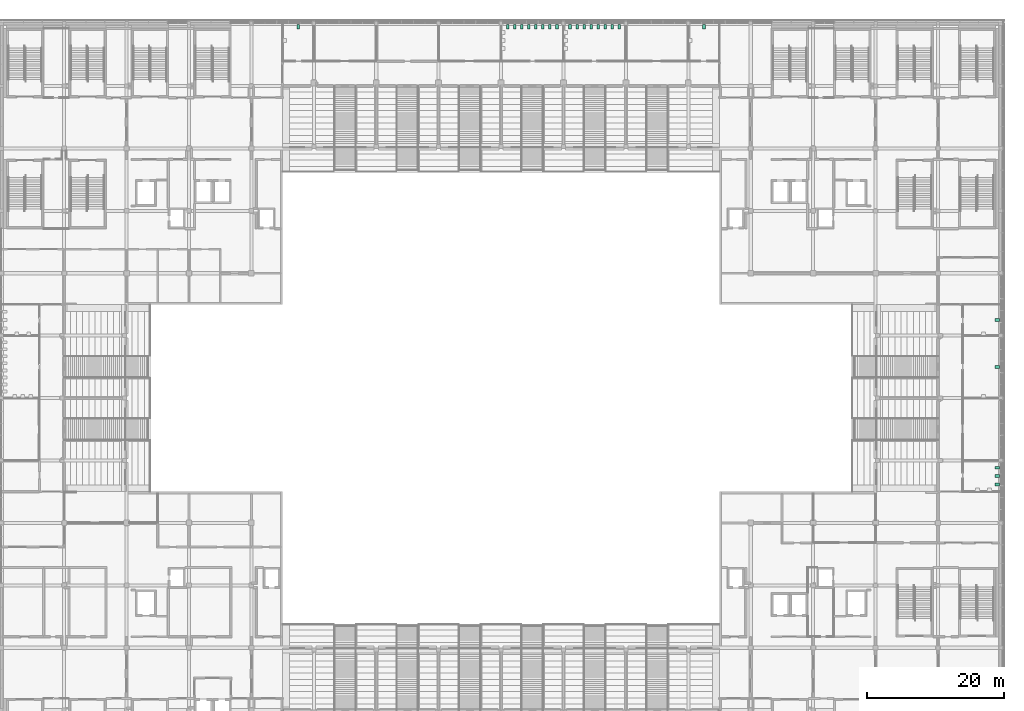
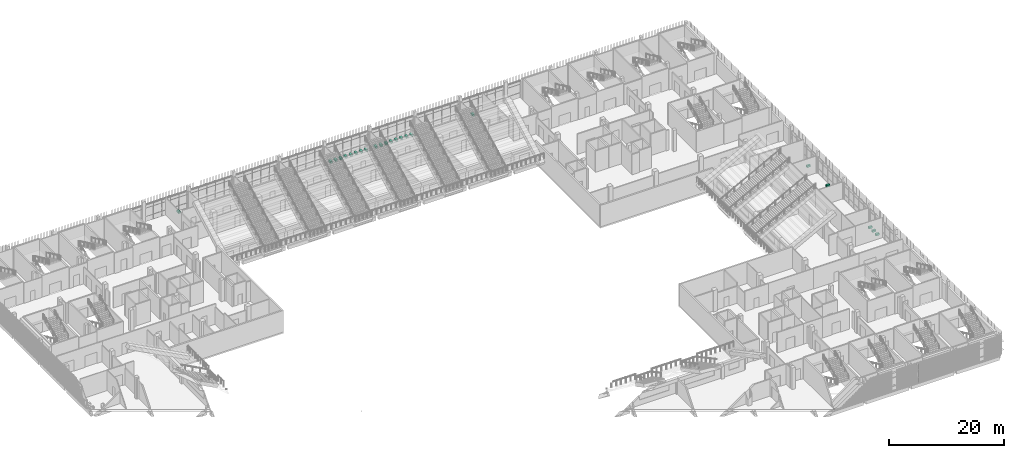
# One storey, part 139 of 139: 23 sanitary terminals.
"""IFC4 building model written with IfcOpenShell, lengths in metres."""

import ifcopenshell
import ifcopenshell.guid

model = None  # the IFC model being written
_history = None  # IfcOwnerHistory: only IFC2X3 demands one
_inside = {}  # id of a spatial element -> (the spatial element, [elements in it])
_under = {}  # id of a project, library or spatial element -> (it, [spatial elements below it])
_declared = {}  # id of a project -> (the project, [libraries it declares])
_typed = {}  # id of a type object -> (the type object, [elements of that type])
_made_of = {}  # id of a material, layer set ... -> (it, [elements and type objects made of it])


def new_model(schema):
    """Start an empty IFC model of exactly this schema.

    Asked for "IFC4X3", IfcOpenShell would pick the latest addendum, in which some entities
    have other attributes; the version numbers below select the first issue.
    IFC2X3 requires an IfcOwnerHistory on every rooted entity: one is made here for all.
    """
    global model, _history
    if schema == "IFC4X3":
        model = ifcopenshell.file(schema_version=(4, 3, 0, 0))
    else:
        model = ifcopenshell.file(schema=schema)
    _inside.clear()
    _under.clear()
    _declared.clear()
    _typed.clear()
    _made_of.clear()
    _history = None
    if model.schema == "IFC2X3":
        org = make("IfcOrganization", Name="unknown")
        user = make(
            "IfcPersonAndOrganization",
            ThePerson=make("IfcPerson", FamilyName="unknown"),
            TheOrganization=org,
        )
        app = make(
            "IfcApplication",
            ApplicationDeveloper=org,
            Version="unknown",
            ApplicationFullName="unknown",
            ApplicationIdentifier="unknown",
        )
        _history = make(
            "IfcOwnerHistory",
            OwningUser=user,
            OwningApplication=app,
            ChangeAction="ADDED",
            CreationDate=0,
        )
    return model


def make(cls, **values):
    """One entity of the class cls with the attributes given. An attribute that is None is left unset."""
    return model.create_entity(
        cls, **{name: value for name, value in values.items() if value is not None}
    )


def rooted(cls, **values):
    """An entity with a GlobalId (a new one), such as an element, a storey or a relation."""
    return make(cls, GlobalId=ifcopenshell.guid.new(), OwnerHistory=_history, **values)


def si_unit(unit_type, name, prefix=None):
    """IfcSIUnit, for example si_unit("LENGTHUNIT", "METRE", prefix="MILLI")."""
    return make("IfcSIUnit", UnitType=unit_type, Prefix=prefix, Name=name)


def assignment(units):
    """IfcUnitAssignment: the units of a project."""
    return None if units is None else make("IfcUnitAssignment", Units=units)


def point(xyz):
    """IfcCartesianPoint."""
    return None if xyz is None else make("IfcCartesianPoint", Coordinates=xyz)


def direction(xyz):
    """IfcDirection."""
    return None if xyz is None else make("IfcDirection", DirectionRatios=xyz)


def frame(location, z_axis=None, x_axis=None):
    """IfcAxis2Placement3D, a coordinate frame: its origin and axes. An axis left out is left unset."""
    return make(
        "IfcAxis2Placement3D",
        Location=point(location),
        Axis=direction(z_axis),
        RefDirection=direction(x_axis),
    )


def frame_2d(location, x_axis=None):
    """IfcAxis2Placement2D, a coordinate frame in the plane: its origin and x axis."""
    return make(
        "IfcAxis2Placement2D", Location=point(location), RefDirection=direction(x_axis)
    )


def origin():
    """The frame at (0, 0, 0) with its axes left unset."""
    return frame((0.0, 0.0, 0.0))


def origin_2d():
    """The frame at (0, 0) in the plane with its x axis left unset."""
    return frame_2d((0.0, 0.0))


def place(relative_to, where):
    """IfcLocalPlacement: puts the frame where relative to a parent placement (None: the world)."""
    return make(
        "IfcLocalPlacement", PlacementRelTo=relative_to, RelativePlacement=where
    )


def context(
    kind, dimensions, precision=None, world=None, true_north=None, identifier=None
):
    """IfcGeometricRepresentationContext, for example the 3D "Model" context."""
    return make(
        "IfcGeometricRepresentationContext",
        ContextIdentifier=identifier,
        ContextType=kind,
        CoordinateSpaceDimension=dimensions,
        Precision=precision,
        WorldCoordinateSystem=world,
        TrueNorth=true_north,
    )


def subcontext(parent, identifier, kind, view, scale=None):
    """IfcGeometricRepresentationSubContext, for example "Body" below "Model"."""
    return make(
        "IfcGeometricRepresentationSubContext",
        ContextIdentifier=identifier,
        ContextType=kind,
        ParentContext=parent,
        TargetScale=scale,
        TargetView=view,
    )


def project(units=None, contexts=None):
    """IfcProject with its units and contexts."""
    return rooted(
        "IfcProject",
        Name="project",
        RepresentationContexts=contexts,
        UnitsInContext=assignment(units),
    )


def spatial(cls, under=None, at=None, **own):
    """A site, building, storey or space (cls), placed at a placement, below another one or the project."""
    s = rooted(cls, ObjectPlacement=at, **own)
    if under is not None:
        _under.setdefault(under.id(), (under, []))[1].append(s)
    return s


def profile(cls, at=None, kind="AREA", **sizes):
    """A parametric profile (cls). Its sizes go by their IFC names, for example OverallWidth=200.0."""
    return make(cls, ProfileType=kind, Position=at, **sizes)


def rectangle(**sizes):
    """IfcRectangleProfileDef."""
    return profile("IfcRectangleProfileDef", **sizes)


def extrude(swept, where, along, depth):
    """IfcExtrudedAreaSolid: the profile swept, set in the frame where, extruded along a direction by depth."""
    return make(
        "IfcExtrudedAreaSolid",
        SweptArea=swept,
        Position=where,
        ExtrudedDirection=direction(along),
        Depth=depth,
    )


def shape(context_of_items, identifier, shape_type, items):
    """IfcShapeRepresentation: the items that make up one representation, for example the "Body"."""
    return make(
        "IfcShapeRepresentation",
        ContextOfItems=context_of_items,
        RepresentationIdentifier=identifier,
        RepresentationType=shape_type,
        Items=items,
    )


def made_of(thing, what):
    """Note that an element or type object is made of a material, layer set ...; save() writes the relation."""
    if what is not None:
        _made_of.setdefault(what.id(), (what, []))[1].append(thing)
    return thing


def element(
    cls,
    number,
    at=None,
    inside=None,
    cuts=None,
    type_object=None,
    material=None,
    context=None,
    identifier="Body",
    shape_type=None,
    held_by="IfcProductDefinitionShape",
    body=None,
    shapes=None,
    **own,
):
    """One element of the class cls, such as IfcWall. Its Tag is "e" and its number.

    at: its placement. inside: the storey or other place that contains it. cuts: it is an
    opening in that element (IfcRelVoidsElement). A single representation is given by context,
    identifier, shape_type and body (its items); several are given by shapes. held_by: the class
    of the entity that holds the representations. save() writes the other relations.
    """
    e = rooted(cls, Tag="e%d" % number, ObjectPlacement=at, **own)
    if body is not None:
        shapes = [shape(context, identifier, shape_type, body)]
    if shapes is not None:
        e.Representation = make(held_by, Representations=shapes)
    if inside is not None:
        _inside.setdefault(inside.id(), (inside, []))[1].append(e)
    if cuts is not None:
        rooted(
            "IfcRelVoidsElement", RelatingBuildingElement=cuts, RelatedOpeningElement=e
        )
    if type_object is not None:
        _typed.setdefault(type_object.id(), (type_object, []))[1].append(e)
    return made_of(e, material)


def aggregate(whole, parts):
    """IfcRelAggregates: a whole, such as a stair, and the parts it consists of."""
    return rooted("IfcRelAggregates", RelatingObject=whole, RelatedObjects=parts)


def save(model, path):
    """Write the relations noted so far, then the file.

    IfcRelAggregates (storeys below a building ...), IfcRelContainedInSpatialStructure (elements
    in a storey), IfcRelDefinesByType, IfcRelAssociatesMaterial and IfcRelDeclares: one each for
    every whole, place, type object, material and project.
    """
    for whole, parts in _under.values():
        aggregate(whole, parts)
    for where, things in _inside.values():
        rooted(
            "IfcRelContainedInSpatialStructure",
            RelatedElements=things,
            RelatingStructure=where,
        )
    for kind, things in _typed.values():
        rooted("IfcRelDefinesByType", RelatedObjects=things, RelatingType=kind)
    for what, things in _made_of.values():
        rooted("IfcRelAssociatesMaterial", RelatedObjects=things, RelatingMaterial=what)
    for by, libraries in _declared.values():
        rooted("IfcRelDeclares", RelatingContext=by, RelatedDefinitions=libraries)
    model.write(path)


model = new_model("IFC4")

# Units and contexts
model_context = context("Model", 3, precision=1e-05, world=origin(), true_north=direction((0.0, 1.0)))
body_context = subcontext(model_context, "Body", "Model", "MODEL_VIEW")
ifc_project = project(units=[si_unit("LENGTHUNIT", "METRE"), si_unit("AREAUNIT", "SQUARE_METRE"), si_unit("VOLUMEUNIT", "CUBIC_METRE"), si_unit("PLANEANGLEUNIT", "RADIAN"), si_unit("MASSUNIT", "GRAM", prefix="KILO")], contexts=[model_context])

# Site, building, storey
site_placement = place(None, origin())
site = spatial("IfcSite", under=ifc_project, at=site_placement, CompositionType="ELEMENT")
building_placement = place(site_placement, origin())
building = spatial("IfcBuilding", under=site, at=building_placement, Name="Shirokan Park Arena", CompositionType="ELEMENT")
storey_placement = place(building_placement, frame((0.0, 0.0, 15.469970703125)))
storey = spatial("IfcBuildingStorey", under=building, at=storey_placement, Name="L03", CompositionType="ELEMENT", Elevation=15.469970703125)

# Sanitary terminals
for number, where, z_axis, x_axis, name in (
    (1, (145.14990234375, 42.00830078125, 0.0), (0.0, 0.0, 1.0), (1.0, 0.0, 0.0), "Water closet Women's WC 3.21"),
    (2, (145.14990234375, 43.22509765625, 0.0), (0.0, 0.0, 1.0), (1.0, 0.0, 0.0), "Water closet Women's WC 3.21"),
    (3, (145.14990234375, 44.441650390625, 0.0), (0.0, 0.0, 1.0), (1.0, 0.0, 0.0), "Water closet Women's WC 3.21"),
    (4, (145.14990234375, 59.14990234375, 0.0), (0.0, 0.0, 1.0), (1.0, 0.0, 0.0), "Water closet Accessible WC 3.23"),
    (5, (145.14990234375, 65.97509765625, 0.0), (0.0, 0.0, 1.0), (1.0, 0.0, 0.0), "Water closet Accessible WC 3.24"),
):
    element("IfcSanitaryTerminal", number, at=place(storey_placement, frame(where, z_axis=z_axis, x_axis=x_axis)), inside=storey, Name=name, PredefinedType="TOILETPAN", context=body_context, shape_type="SweptSolid", body=[
        extrude(rectangle(XDim=0.699951171875, YDim=0.39990234375, at=origin_2d()), origin(), (0.0, 0.0, 1.0), 0.39990234375),
    ])
for number, where, z_axis, x_axis, name in (
    (6, (43.22509765625, 108.75, 0.0), (0.0, 0.0, 1.0), (1.0, 0.0, 0.0), "Water closet Accessible WC 3.31"),
    (7, (73.762451171875, 108.75, 0.0), (0.0, 0.0, 1.0), (1.0, 0.0, 0.0), "Water closet Men's WC 3.35"),
    (8, (74.78759765625, 108.75, 0.0), (0.0, 0.0, 1.0), (1.0, 0.0, 0.0), "Water closet Men's WC 3.35"),
    (9, (75.8125, 108.75, 0.0), (0.0, 0.0, 1.0), (1.0, 0.0, 0.0), "Water closet Men's WC 3.35"),
    (10, (76.83740234375, 108.75, 0.0), (0.0, 0.0, 1.0), (1.0, 0.0, 0.0), "Water closet Men's WC 3.35"),
    (11, (77.862548828125, 108.75, 0.0), (0.0, 0.0, 1.0), (1.0, 0.0, 0.0), "Water closet Men's WC 3.35"),
    (12, (78.887451171875, 108.75, 0.0), (0.0, 0.0, 1.0), (1.0, 0.0, 0.0), "Water closet Men's WC 3.35"),
    (13, (79.91259765625, 108.75, 0.0), (0.0, 0.0, 1.0), (1.0, 0.0, 0.0), "Water closet Men's WC 3.35"),
    (14, (80.9375, 108.75, 0.0), (0.0, 0.0, 1.0), (1.0, 0.0, 0.0), "Water closet Men's WC 3.35"),
    (15, (82.862548828125, 108.75, 0.0), (0.0, 0.0, 1.0), (1.0, 0.0, 0.0), "Water closet Women's WC 3.36"),
    (16, (83.887451171875, 108.75, 0.0), (0.0, 0.0, 1.0), (1.0, 0.0, 0.0), "Water closet Women's WC 3.36"),
    (17, (84.91259765625, 108.75, 0.0), (0.0, 0.0, 1.0), (1.0, 0.0, 0.0), "Water closet Women's WC 3.36"),
    (18, (85.9375, 108.75, 0.0), (0.0, 0.0, 1.0), (1.0, 0.0, 0.0), "Water closet Women's WC 3.36"),
    (19, (86.96240234375, 108.75, 0.0), (0.0, 0.0, 1.0), (1.0, 0.0, 0.0), "Water closet Women's WC 3.36"),
    (20, (87.987548828125, 108.75, 0.0), (0.0, 0.0, 1.0), (1.0, 0.0, 0.0), "Water closet Women's WC 3.36"),
    (21, (89.012451171875, 108.75, 0.0), (0.0, 0.0, 1.0), (1.0, 0.0, 0.0), "Water closet Women's WC 3.36"),
    (22, (90.03759765625, 108.75, 0.0), (0.0, 0.0, 1.0), (1.0, 0.0, 0.0), "Water closet Women's WC 3.36"),
    (23, (102.375, 108.75, 0.0), (0.0, 0.0, 1.0), (1.0, 0.0, 0.0), "Water closet Accessible WC 3.38"),
):
    element("IfcSanitaryTerminal", number, at=place(storey_placement, frame(where, z_axis=z_axis, x_axis=x_axis)), inside=storey, Name=name, PredefinedType="TOILETPAN", context=body_context, shape_type="SweptSolid", body=[
        extrude(rectangle(XDim=0.39990234375, YDim=0.699951171875, at=origin_2d()), origin(), (0.0, 0.0, 1.0), 0.39990234375),
    ])

save(model, "model.ifc")
